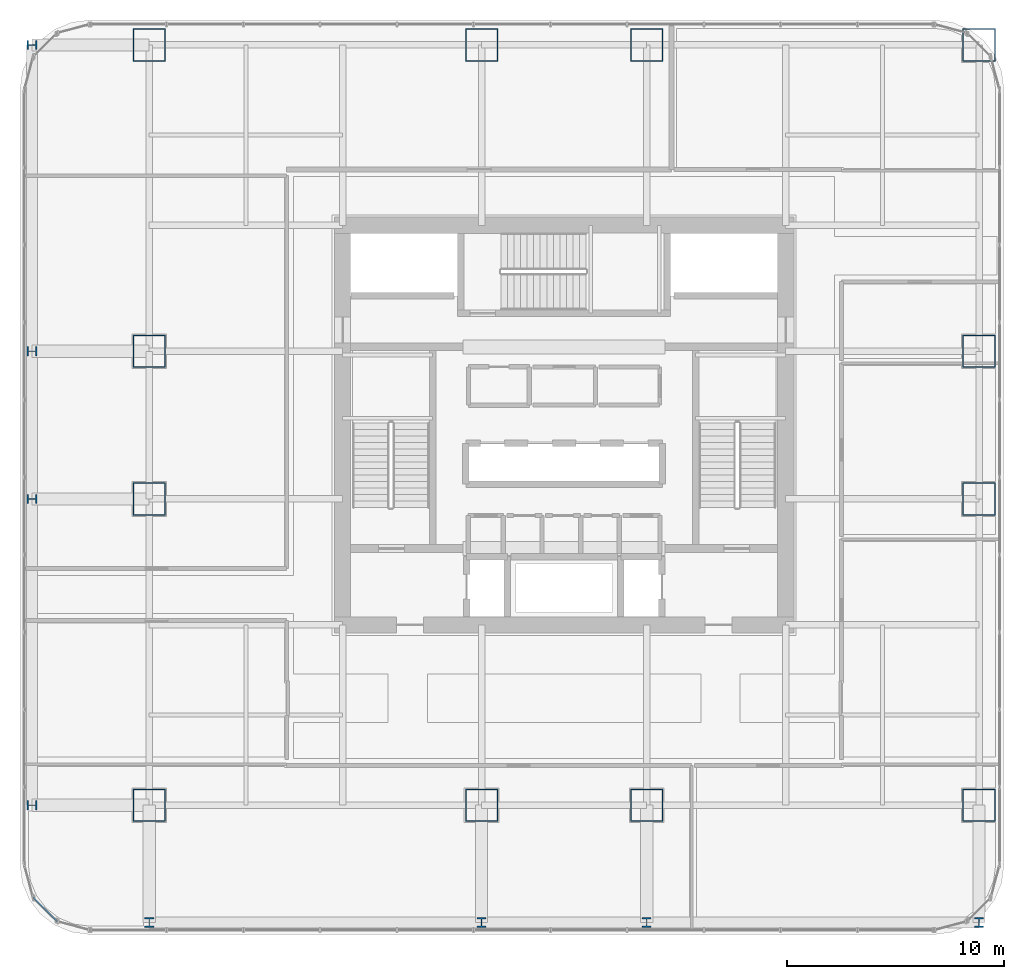
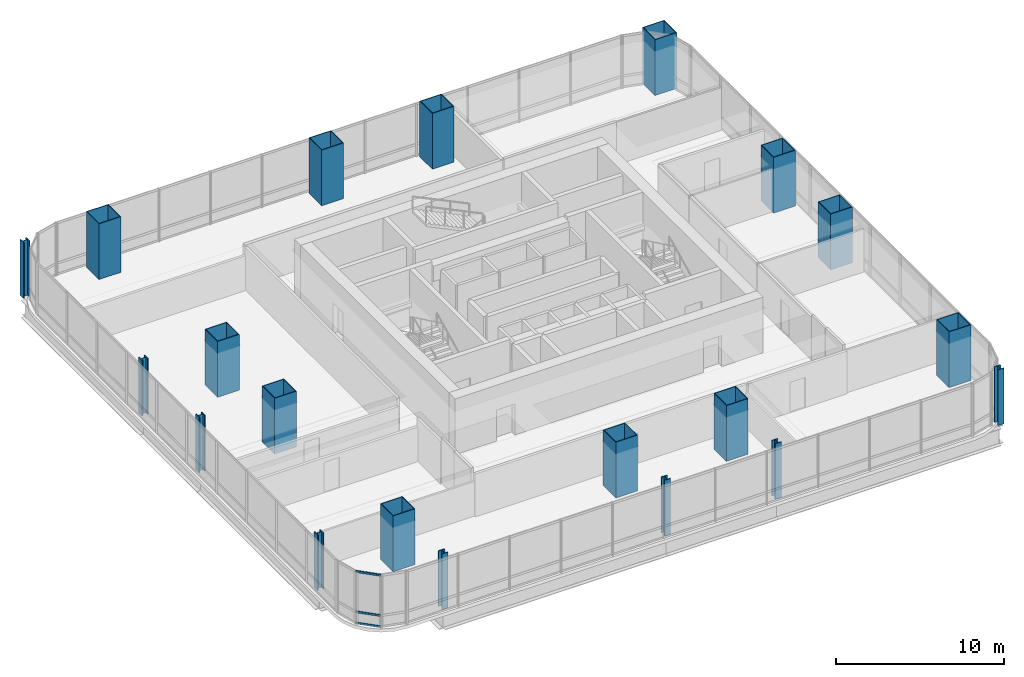
# One storey, part 1 of 35: 20 columns, 3 members, 1 element without a shape of its own.
"""IFC4 building model written with IfcOpenShell, lengths in metres."""

from ifc_helpers import new_model, si_unit, direction, frame, origin, origin_2d, place, context, subcontext, project, spatial, hollow_rectangle, i_section, extrude, material, material_profile, profile_set, type_object, element, aggregate, save


model = new_model("IFC4")

# Units and contexts
model_context = context("Model", 3, precision=1e-05, world=origin(), true_north=direction((0.0, 1.0)))
body_context = subcontext(model_context, "Body", "Model", "MODEL_VIEW")
ifc_project = project(units=[si_unit("LENGTHUNIT", "METRE"), si_unit("AREAUNIT", "SQUARE_METRE"), si_unit("VOLUMEUNIT", "CUBIC_METRE"), si_unit("PLANEANGLEUNIT", "RADIAN"), si_unit("MASSUNIT", "GRAM", prefix="KILO")], contexts=[model_context])

# Site, building, storey
site_placement = place(None, origin())
site = spatial("IfcSite", under=ifc_project, at=site_placement, CompositionType="ELEMENT")
building_placement = place(site_placement, origin())
building = spatial("IfcBuilding", under=site, at=building_placement, Name="Punatoya Terracotta Tower", CompositionType="ELEMENT")
storey_placement = place(building_placement, frame((0.0, 0.0, 52.5)))
storey = spatial("IfcBuildingStorey", under=building, at=storey_placement, Name="L11", CompositionType="ELEMENT", Elevation=52.5)

# Columns
ifc_material_1 = material(Name="Steel S460", Category="steel")
ifc_material_profile_1 = material_profile(ifc_material_1, i_section(OverallWidth=0.416015625, OverallDepth=0.446044921875, WebThickness=0.0390625, FlangeThickness=0.06201171875, FilletRadius=0.01806640625, at=origin_2d()))
ifc_profile_set_1 = profile_set([ifc_material_profile_1], Name="Steel S460")
column_type_1 = type_object("IfcColumnType", Name="COL-EX-M1", PredefinedType="COLUMN", material=ifc_profile_set_1)
for number, where, z_axis, x_axis, name in (
    (1, (-19.10009765625, -22.89990234375, 0.0), (0.0, 0.0, 1.0), (1.0, 0.0, 0.0), "L11 Exoskeleton Perimeter Column S1"),
    (2, (-3.800048828125, -22.89990234375, 0.0), (0.0, 0.0, 1.0), (1.0, 0.0, 0.0), "L11 Exoskeleton Perimeter Column S2"),
    (3, (3.800048828125, -22.89990234375, 0.0), (0.0, 0.0, 1.0), (1.0, 0.0, 0.0), "L11 Exoskeleton Perimeter Column S3"),
    (4, (19.10009765625, -22.89990234375, 0.0), (0.0, 0.0, 1.0), (1.0, 0.0, 0.0), "L11 Exoskeleton Perimeter Column S4"),
    (5, (-24.5, -17.5, 0.0), (0.0, 0.0, 1.0), (0.0, 1.0, 0.0), "L11 Exoskeleton Perimeter Column W1"),
    (6, (-24.5, -3.39990234375, 0.0), (0.0, 0.0, 1.0), (0.0, 1.0, 0.0), "L11 Exoskeleton Perimeter Column W2"),
    (7, (-24.5, 3.39990234375, 0.0), (0.0, 0.0, 1.0), (0.0, 1.0, 0.0), "L11 Exoskeleton Perimeter Column W3"),
    (8, (-24.5, 17.5, 0.0), (0.0, 0.0, 1.0), (0.0, 1.0, 0.0), "L11 Exoskeleton Perimeter Column W4"),
):
    element("IfcColumn", number, at=place(storey_placement, frame(where, z_axis=z_axis, x_axis=x_axis)), inside=storey, type_object=column_type_1, Name=name, PredefinedType="COLUMN", context=body_context, shape_type="SweptSolid", body=[
        extrude(i_section(OverallWidth=0.416015625, OverallDepth=0.446044921875, WebThickness=0.0390625, FlangeThickness=0.06201171875, FilletRadius=0.01806640625, at=origin_2d()), origin(), (0.0, 0.0, 1.0), 4.048095703125),
    ])
ifc_material_profile_2 = material_profile(ifc_material_1, hollow_rectangle(XDim=1.5, YDim=1.5, WallThickness=0.044921875, at=origin_2d()))
ifc_profile_set_2 = profile_set([ifc_material_profile_2], Name="Steel S460")
column_type_2 = type_object("IfcColumnType", Name="COL-MC-Z1", PredefinedType="COLUMN", material=ifc_profile_set_2)
for number, where, z_axis, x_axis, name in (
    (9, (-19.10009765625, -17.5, 0.0), (0.0, 0.0, 1.0), (1.0, 0.0, 0.0), "L11 Composite Mega-Column MC-01 (3-B)"),
    (10, (-3.800048828125, -17.5, 0.0), (0.0, 0.0, 1.0), (1.0, 0.0, 0.0), "L11 Composite Mega-Column MC-02 (5-B)"),
    (11, (3.800048828125, -17.5, 0.0), (0.0, 0.0, 1.0), (1.0, 0.0, 0.0), "L11 Composite Mega-Column MC-03 (7-B)"),
    (12, (19.10009765625, -17.5, 0.0), (0.0, 0.0, 1.0), (1.0, 0.0, 0.0), "L11 Composite Mega-Column MC-04 (9-B)"),
    (13, (19.10009765625, -3.39990234375, 0.0), (0.0, 0.0, 1.0), (1.0, 0.0, 0.0), "L11 Composite Mega-Column MC-05 (9-D)"),
    (14, (19.10009765625, 3.39990234375, 0.0), (0.0, 0.0, 1.0), (1.0, 0.0, 0.0), "L11 Composite Mega-Column MC-06 (9-E)"),
    (15, (19.10009765625, 17.5, 0.0), (0.0, 0.0, 1.0), (1.0, 0.0, 0.0), "L11 Composite Mega-Column MC-07 (9-G)"),
    (16, (3.800048828125, 17.5, 0.0), (0.0, 0.0, 1.0), (1.0, 0.0, 0.0), "L11 Composite Mega-Column MC-08 (7-G)"),
    (17, (-3.800048828125, 17.5, 0.0), (0.0, 0.0, 1.0), (1.0, 0.0, 0.0), "L11 Composite Mega-Column MC-09 (5-G)"),
    (18, (-19.10009765625, 17.5, 0.0), (0.0, 0.0, 1.0), (1.0, 0.0, 0.0), "L11 Composite Mega-Column MC-10 (3-G)"),
    (19, (-19.10009765625, 3.39990234375, 0.0), (0.0, 0.0, 1.0), (1.0, 0.0, 0.0), "L11 Composite Mega-Column MC-11 (3-E)"),
    (20, (-19.10009765625, -3.39990234375, 0.0), (0.0, 0.0, 1.0), (1.0, 0.0, 0.0), "L11 Composite Mega-Column MC-12 (3-D)"),
):
    element("IfcColumn", number, at=place(storey_placement, frame(where, z_axis=z_axis, x_axis=x_axis)), inside=storey, type_object=column_type_2, Name=name, PredefinedType="COLUMN", context=body_context, shape_type="SweptSolid", body=[
        extrude(hollow_rectangle(XDim=1.5, YDim=1.5, WallThickness=0.044921875, at=origin_2d()), origin(), (0.0, 0.0, 1.0), 4.050048828125),
    ])

# Curtain wall, members
ifc_material_2 = material(Name="Aluminium 6063-T6 + Double Low-E Glass", Category="aluminium")
curtain_wall_type = type_object("IfcCurtainWallType", Name="CW-M1", PredefinedType="NOTDEFINED", material=ifc_material_2)
curtain_wall_placement = place(storey_placement, origin())
curtain_wall = element("IfcCurtainWall", 21, at=curtain_wall_placement, inside=storey, type_object=curtain_wall_type, Name="L11 Curtain Wall CW-L11-CRN15", PredefinedType="NOTDEFINED")
ifc_material_3 = material(Name="Aluminium 6063-T6", Category="aluminium")
ifc_material_profile_3 = material_profile(ifc_material_3, hollow_rectangle(XDim=0.068115234375, YDim=0.14990234375, WallThickness=0.00390625, at=origin_2d()))
ifc_profile_set_3 = profile_set([ifc_material_profile_3], Name="Aluminium 6063-T6")
member_type = type_object("IfcMemberType", Name="CW-TRN-TYP", PredefinedType="USERDEFINED", material=ifc_profile_set_3)
member_1_placement = place(storey_placement, frame((-24.446533203125, -21.7490234375, 0.0400390625), z_axis=(0.707028130747, -0.707185422879, 0.0), x_axis=(0.707185422879, 0.707028130747, 0.0)))
member_1 = element("IfcMember", 22, at=member_1_placement, type_object=member_type, Name="CW-L11-CRN15 Transom 1", ObjectType="TRANSOM", PredefinedType="USERDEFINED", context=body_context, shape_type="SweptSolid", body=[
    extrude(hollow_rectangle(XDim=0.068115234375, YDim=0.14990234375, WallThickness=0.00390625, at=origin_2d()), origin(), (0.0, 0.0, 1.0), 1.55224609375),
])
member_2_placement = place(storey_placement, frame((-24.446533203125, -21.7490234375, 0.85009765625), z_axis=(0.707028130747, -0.707185422879, 0.0), x_axis=(0.707185422879, 0.707028130747, 0.0)))
member_2 = element("IfcMember", 23, at=member_2_placement, type_object=member_type, Name="CW-L11-CRN15 Transom 2", ObjectType="TRANSOM", PredefinedType="USERDEFINED", context=body_context, shape_type="SweptSolid", body=[
    extrude(hollow_rectangle(XDim=0.068115234375, YDim=0.14990234375, WallThickness=0.00390625, at=origin_2d()), origin(), (0.0, 0.0, 1.0), 1.55224609375),
])
member_3_placement = place(storey_placement, frame((-24.446533203125, -21.7490234375, 3.77001953125), z_axis=(0.707028130747, -0.707185422879, 0.0), x_axis=(0.707185422879, 0.707028130747, 0.0)))
member_3 = element("IfcMember", 24, at=member_3_placement, type_object=member_type, Name="CW-L11-CRN15 Transom 3", ObjectType="TRANSOM", PredefinedType="USERDEFINED", context=body_context, shape_type="SweptSolid", body=[
    extrude(hollow_rectangle(XDim=0.068115234375, YDim=0.14990234375, WallThickness=0.00390625, at=origin_2d()), origin(), (0.0, 0.0, 1.0), 1.55224609375),
])
aggregate(curtain_wall, [member_1, member_2, member_3])

save(model, "model.ifc")
